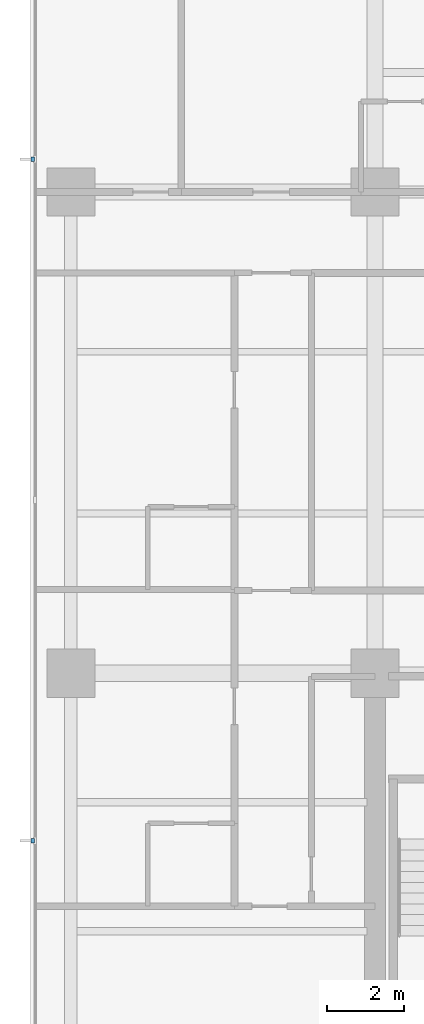
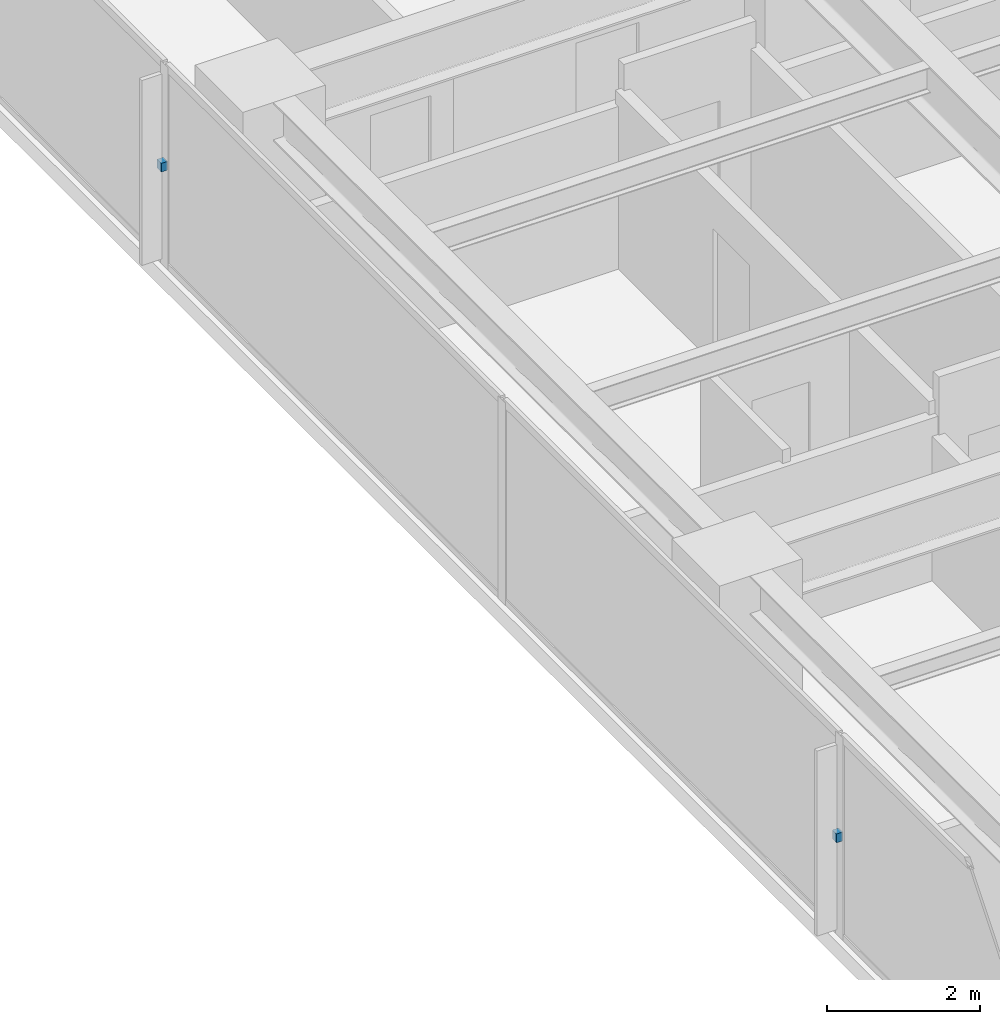
# One storey, part 13 of 17: 2 discrete accessories.
"""IFC4 building model written with IfcOpenShell, lengths in metres."""

from ifc_helpers import new_model, si_unit, direction, frame, origin, place, context, subcontext, project, spatial, polyline, outline, extrude, material, type_object, element, save


model = new_model("IFC4")

# Units and contexts
model_context = context("Model", 3, precision=1e-05, world=origin(), true_north=direction((0.0, 1.0)))
body_context = subcontext(model_context, "Body", "Model", "MODEL_VIEW")
ifc_project = project(units=[si_unit("LENGTHUNIT", "METRE"), si_unit("AREAUNIT", "SQUARE_METRE"), si_unit("VOLUMEUNIT", "CUBIC_METRE"), si_unit("PLANEANGLEUNIT", "RADIAN"), si_unit("MASSUNIT", "GRAM", prefix="KILO")], contexts=[model_context])

# Site, building, storey
site_placement = place(None, origin())
site = spatial("IfcSite", under=ifc_project, at=site_placement, CompositionType="ELEMENT")
building_placement = place(site_placement, origin())
building = spatial("IfcBuilding", under=site, at=building_placement, Name="Qalmaran Belvedere Hotel", CompositionType="ELEMENT")
storey_placement = place(building_placement, frame((0.0, 0.0, 88.199951171875)))
storey = spatial("IfcBuildingStorey", under=building, at=storey_placement, Name="L21", CompositionType="ELEMENT", Elevation=88.199951171875)

# Discrete accessories
ifc_material = material(Name="Stainless Steel 1.4401", Category="steel")
discrete_accessory_type = type_object("IfcDiscreteAccessoryType", Name="BRK-FIN-SS316", PredefinedType="BRACKET", material=ifc_material)
discrete_accessory_1_placement = place(storey_placement, frame((0.0, 0.0, 1.570068359375)))
element("IfcDiscreteAccessory", 1, at=discrete_accessory_1_placement, inside=storey, type_object=discrete_accessory_type, Name="L21 Fin Bracket 1", PredefinedType="BRACKET", context=body_context, shape_type="SweptSolid", body=[
    extrude(outline(polyline([(11.455078125, 33.905029296875), (11.360107421875, 33.905029296875), (11.360107421875, 33.794921875), (11.455078125, 33.794921875), (11.455078125, 33.905029296875)])), origin(), (0.0, 0.0, 1.0), 0.139892578125),
])
discrete_accessory_2_placement = place(storey_placement, frame((0.0, 0.0, 1.570068359375)))
element("IfcDiscreteAccessory", 2, at=discrete_accessory_2_placement, inside=storey, type_object=discrete_accessory_type, Name="L21 Fin Bracket 3", PredefinedType="BRACKET", context=body_context, shape_type="SweptSolid", body=[
    extrude(outline(polyline([(11.455078125, 16.205078125), (11.360107421875, 16.205078125), (11.360107421875, 16.094970703125), (11.455078125, 16.094970703125), (11.455078125, 16.205078125)])), origin(), (0.0, 0.0, 1.0), 0.139892578125),
])

save(model, "model.ifc")
